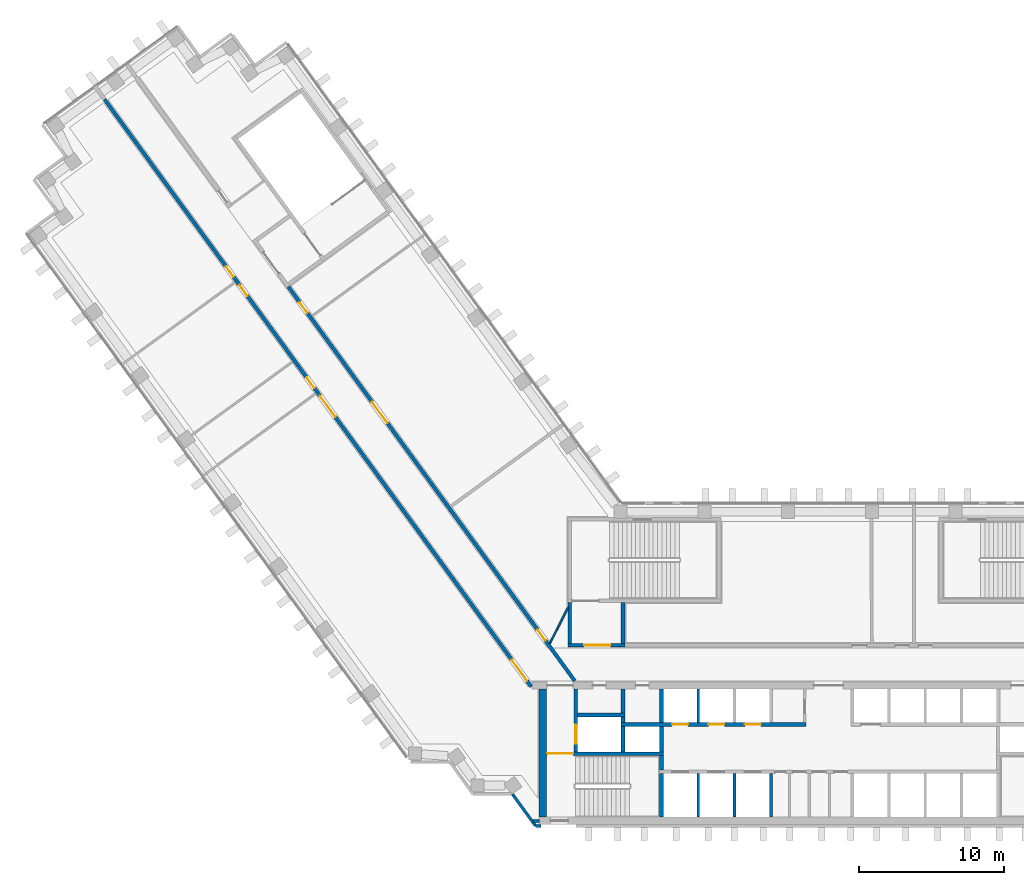
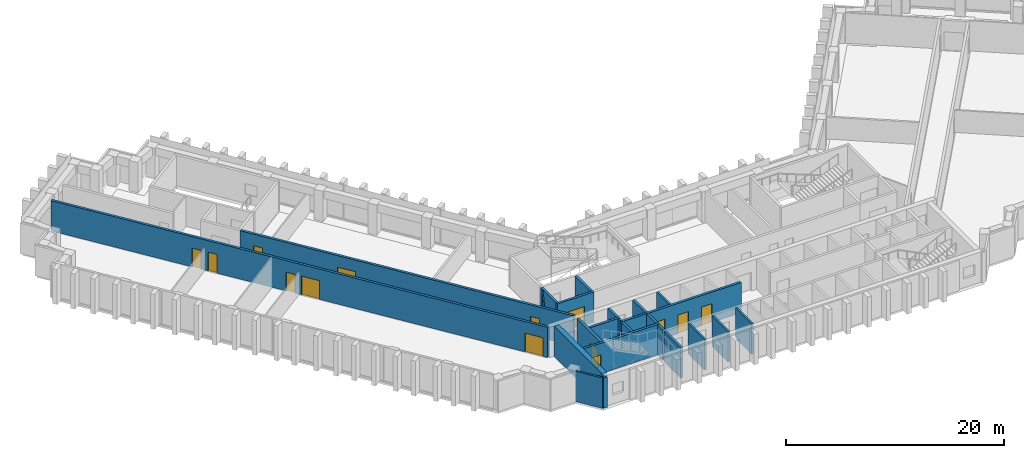
# One storey, part 4 of 11: 25 walls, 14 doors, 14 openings.
"""IFC4 building model written with IfcOpenShell, lengths in metres."""

from ifc_helpers import new_model, si_unit, direction, frame, frame_2d, origin, place, context, subcontext, project, spatial, rectangle, extrude, material, layer, layer_set, type_object, element, fill, save


model = new_model("IFC4")

# Units and contexts
model_context = context("Model", 3, precision=1e-05, world=origin(), true_north=direction((0.0, 1.0)))
body_context = subcontext(model_context, "Body", "Model", "MODEL_VIEW")
ifc_project = project(units=[si_unit("LENGTHUNIT", "METRE"), si_unit("AREAUNIT", "SQUARE_METRE"), si_unit("VOLUMEUNIT", "CUBIC_METRE"), si_unit("PLANEANGLEUNIT", "RADIAN"), si_unit("MASSUNIT", "GRAM", prefix="KILO")], contexts=[model_context])

# Site, building, storey
site_placement = place(None, origin())
site = spatial("IfcSite", under=ifc_project, at=site_placement, CompositionType="ELEMENT")
building_placement = place(site_placement, origin())
building = spatial("IfcBuilding", under=site, at=building_placement, Name="Quipu Civic Tower", CompositionType="ELEMENT")
storey_placement = place(building_placement, frame((0.0, 0.0, 129.0)))
storey = spatial("IfcBuildingStorey", under=building, at=storey_placement, Name="L30", CompositionType="ELEMENT", Elevation=129.0)

# Walls
ifc_material_1 = material(Name="Concrete C70/85", Category="concrete")
ifc_layer_1 = layer(ifc_material_1, 0.25)
ifc_layer_set_1 = layer_set([ifc_layer_1], Name="Concrete C70/85")
wall_type_1 = type_object("IfcWallType", Name="Core wall 250", PredefinedType="SHEAR", material=ifc_layer_set_1)
wall_1_placement = place(storey_placement, frame((-11.574951171875, -10.5, 0.0), z_axis=(0.0, 0.0, 1.0), x_axis=(0.0, 1.0, 0.0)))
element("IfcWall", 1, at=wall_1_placement, inside=storey, type_object=wall_type_1, Name="Core wall", PredefinedType="SHEAR", context=body_context, shape_type="SweptSolid", body=[
    extrude(rectangle(XDim=3.0, YDim=0.25, at=frame_2d((1.5, 0.0))), origin(), (0.0, 0.0, 1.0), 3.39990234375),
])
wall_2_placement = place(storey_placement, frame((-11.574951171875, -7.25, 0.0), z_axis=(0.0, 0.0, 1.0), x_axis=(0.0, 1.0, 0.0)))
element("IfcWall", 2, at=wall_2_placement, inside=storey, type_object=wall_type_1, Name="Core wall", PredefinedType="SHEAR", context=body_context, shape_type="SweptSolid", body=[
    extrude(rectangle(XDim=1.0, YDim=0.25, at=frame_2d((0.5, 0.0))), origin(), (0.0, 0.0, 1.0), 3.39990234375),
])

# Wall, opening, door
wall_3_placement = place(storey_placement, frame((-11.449951171875, -6.125, 0.0), z_axis=(0.0, 0.0, 1.0), x_axis=(-1.0, 0.0, 0.0)))
wall_3 = element("IfcWall", 3, at=wall_3_placement, inside=storey, type_object=wall_type_1, Name="Core wall", PredefinedType="SHEAR", context=body_context, shape_type="SweptSolid", body=[
    extrude(rectangle(XDim=8.050048828125, YDim=0.25, at=frame_2d((4.02490234375, 0.0))), origin(), (0.0, 0.0, 1.0), 3.39990234375),
])
opening_1_placement = place(wall_3_placement, frame((6.199951171875, 0.0, 0.0)))
opening_1 = element("IfcOpeningElement", 4, at=opening_1_placement, cuts=wall_3, Name="Opening CD-05", PredefinedType="OPENING", context=body_context, shape_type="SweptSolid", body=[
    extrude(rectangle(XDim=1.800048828125, YDim=2.10009765625, at=frame_2d((0.89990234375, 1.050048828125))), frame((0.0, 0.135009765625, 0.0), z_axis=(0.0, -1.0, 0.0), x_axis=(1.0, 0.0, 0.0)), (0.0, 0.0, 1.0), 0.27001953125),
])
ifc_material_2 = material(Name="Fire rated steel door", Category="steel")
door_type_1 = type_object("IfcDoorType", Name="Fire door FD90 double 1800 x 2100", OperationType="NOTDEFINED", PredefinedType="DOOR", material=ifc_material_2)
door_1_placement = place(opening_1_placement, origin())
door_1 = element("IfcDoor", 5, at=door_1_placement, inside=storey, type_object=door_type_1, Name="Door", OperationType="DOUBLE_DOOR_SINGLE_SWING", OverallHeight=2.10009765625, OverallWidth=1.800048828125, PredefinedType="DOOR", context=body_context, shape_type="SweptSolid", body=[
    extrude(rectangle(XDim=1.800048828125, YDim=2.10009765625, at=frame_2d((0.89990234375, 1.050048828125))), frame((0.0, 0.02490234375, 0.0), z_axis=(0.0, -1.0, 0.0), x_axis=(1.0, 0.0, 0.0)), (0.0, 0.0, 1.0), 0.050048828125),
])
fill(opening_1, door_1)

wall_4_placement = place(storey_placement, frame((-17.47509765625, -6.0, 0.0), z_axis=(0.0, 0.0, 1.0), x_axis=(0.0, 1.0, 0.0)))
wall_4 = element("IfcWall", 6, at=wall_4_placement, inside=storey, type_object=wall_type_1, Name="Core wall", PredefinedType="SHEAR", context=body_context, shape_type="SweptSolid", body=[
    extrude(rectangle(XDim=4.300048828125, YDim=0.25, at=frame_2d((2.14990234375, 0.0))), origin(), (0.0, 0.0, 1.0), 3.39990234375),
])
opening_2_placement = place(wall_4_placement, frame((0.550048828125, 0.0, 0.0)))
opening_2 = element("IfcOpeningElement", 7, at=opening_2_placement, cuts=wall_4, Name="Opening LD-FF1", PredefinedType="OPENING", context=body_context, shape_type="SweptSolid", body=[
    extrude(rectangle(XDim=1.300048828125, YDim=2.10009765625, at=frame_2d((0.64990234375, 1.050048828125))), frame((0.0, 0.135009765625, 0.0), z_axis=(0.0, -1.0, 0.0), x_axis=(1.0, 0.0, 0.0)), (0.0, 0.0, 1.0), 0.27001953125),
])
ifc_material_3 = material(Name="Stainless steel", Category="steel")
door_type_2 = type_object("IfcDoorType", Name="Lift landing door 1300 x 2100", OperationType="DOUBLE_DOOR_SLIDING", PredefinedType="DOOR", material=ifc_material_3)
door_2_placement = place(opening_2_placement, origin())
door_2 = element("IfcDoor", 8, at=door_2_placement, inside=storey, type_object=door_type_2, Name="Landing door FF1", OperationType="DOUBLE_DOOR_SLIDING", OverallHeight=2.10009765625, OverallWidth=1.300048828125, PredefinedType="DOOR", context=body_context, shape_type="SweptSolid", body=[
    extrude(rectangle(XDim=1.300048828125, YDim=2.10009765625, at=frame_2d((0.64990234375, 1.050048828125))), frame((0.0, 0.02490234375, 0.0), z_axis=(0.0, -1.0, 0.0), x_axis=(1.0, 0.0, 0.0)), (0.0, 0.0, 1.0), 0.050048828125),
])
fill(opening_2, door_2)

# Walls
for number, where, z_axis, x_axis, name in (
    (9, (-14.22509765625, -6.0, 0.0), (0.0, 0.0, 1.0), (0.0, 1.0, 0.0), "Core wall"),
    (10, (-11.574951171875, -6.0, 0.0), (0.0, 0.0, 1.0), (0.0, 1.0, 0.0), "Core wall"),
):
    element("IfcWall", number, at=place(storey_placement, frame(where, z_axis=z_axis, x_axis=x_axis)), inside=storey, type_object=wall_type_1, Name=name, PredefinedType="SHEAR", context=body_context, shape_type="SweptSolid", body=[
        extrude(rectangle(XDim=1.75, YDim=0.25, at=frame_2d((0.875, 0.0))), origin(), (0.0, 0.0, 1.0), 3.39990234375),
    ])

# Wall, openings, doors
wall_5_placement = place(storey_placement, frame((-14.35009765625, -4.125, 0.0), z_axis=(0.0, 0.0, 1.0), x_axis=(1.0, 0.0, 0.0)))
wall_5 = element("IfcWall", 11, at=wall_5_placement, inside=storey, type_object=wall_type_1, Name="Core wall", PredefinedType="SHEAR", context=body_context, shape_type="SweptSolid", body=[
    extrude(rectangle(XDim=12.7001953125, YDim=0.25, at=frame_2d((6.35009765625, 0.0))), origin(), (0.0, 0.0, 1.0), 3.39990234375),
])
opening_3_placement = place(wall_5_placement, frame((3.5, 0.0, 0.0)))
opening_3 = element("IfcOpeningElement", 12, at=opening_3_placement, cuts=wall_5, Name="Opening LD-LL4", PredefinedType="OPENING", context=body_context, shape_type="SweptSolid", body=[
    extrude(rectangle(XDim=1.10009765625, YDim=2.10009765625, at=frame_2d((0.550048828125, 1.050048828125))), frame((0.0, 0.135009765625, 0.0), z_axis=(0.0, -1.0, 0.0), x_axis=(1.0, 0.0, 0.0)), (0.0, 0.0, 1.0), 0.27001953125),
])
opening_4_placement = place(wall_5_placement, frame((6.0, 0.0, 0.0)))
opening_4 = element("IfcOpeningElement", 13, at=opening_4_placement, cuts=wall_5, Name="Opening LD-LL5", PredefinedType="OPENING", context=body_context, shape_type="SweptSolid", body=[
    extrude(rectangle(XDim=1.10009765625, YDim=2.10009765625, at=frame_2d((0.550048828125, 1.050048828125))), frame((0.0, 0.135009765625, 0.0), z_axis=(0.0, -1.0, 0.0), x_axis=(1.0, 0.0, 0.0)), (0.0, 0.0, 1.0), 0.27001953125),
])
opening_5_placement = place(wall_5_placement, frame((8.5, 0.0, 0.0)))
opening_5 = element("IfcOpeningElement", 14, at=opening_5_placement, cuts=wall_5, Name="Opening LD-LL6", PredefinedType="OPENING", context=body_context, shape_type="SweptSolid", body=[
    extrude(rectangle(XDim=1.10009765625, YDim=2.10009765625, at=frame_2d((0.550048828125, 1.050048828125))), frame((0.0, 0.135009765625, 0.0), z_axis=(0.0, -1.0, 0.0), x_axis=(1.0, 0.0, 0.0)), (0.0, 0.0, 1.0), 0.27001953125),
])
ifc_material_4 = material(Name="Stainless steel", Category="steel")
door_type_3 = type_object("IfcDoorType", Name="Lift landing door 1100 x 2100", OperationType="DOUBLE_DOOR_SLIDING", PredefinedType="DOOR", material=ifc_material_4)
door_3_placement = place(opening_3_placement, origin())
door_3 = element("IfcDoor", 15, at=door_3_placement, inside=storey, type_object=door_type_3, Name="Landing door LL4", OperationType="DOUBLE_DOOR_SLIDING", OverallHeight=2.10009765625, OverallWidth=1.10009765625, PredefinedType="DOOR", context=body_context, shape_type="SweptSolid", body=[
    extrude(rectangle(XDim=1.10009765625, YDim=2.10009765625, at=frame_2d((0.550048828125, 1.050048828125))), frame((0.0, 0.02490234375, 0.0), z_axis=(0.0, -1.0, 0.0), x_axis=(1.0, 0.0, 0.0)), (0.0, 0.0, 1.0), 0.050048828125),
])
fill(opening_3, door_3)
door_4_placement = place(opening_4_placement, origin())
door_4 = element("IfcDoor", 16, at=door_4_placement, inside=storey, type_object=door_type_3, Name="Landing door LL5", OperationType="DOUBLE_DOOR_SLIDING", OverallHeight=2.10009765625, OverallWidth=1.10009765625, PredefinedType="DOOR", context=body_context, shape_type="SweptSolid", body=[
    extrude(rectangle(XDim=1.10009765625, YDim=2.10009765625, at=frame_2d((0.550048828125, 1.050048828125))), frame((0.0, 0.02490234375, 0.0), z_axis=(0.0, -1.0, 0.0), x_axis=(1.0, 0.0, 0.0)), (0.0, 0.0, 1.0), 0.050048828125),
])
fill(opening_4, door_4)
door_5_placement = place(opening_5_placement, origin())
door_5 = element("IfcDoor", 17, at=door_5_placement, inside=storey, type_object=door_type_3, Name="Landing door LL6", OperationType="DOUBLE_DOOR_SLIDING", OverallHeight=2.10009765625, OverallWidth=1.10009765625, PredefinedType="DOOR", context=body_context, shape_type="SweptSolid", body=[
    extrude(rectangle(XDim=1.10009765625, YDim=2.10009765625, at=frame_2d((0.550048828125, 1.050048828125))), frame((0.0, 0.02490234375, 0.0), z_axis=(0.0, -1.0, 0.0), x_axis=(1.0, 0.0, 0.0)), (0.0, 0.0, 1.0), 0.050048828125),
])
fill(opening_5, door_5)

# Walls
wall_6_placement = place(storey_placement, frame((-14.22509765625, -4.0, 0.0), z_axis=(0.0, 0.0, 1.0), x_axis=(0.0, 1.0, 0.0)))
element("IfcWall", 18, at=wall_6_placement, inside=storey, type_object=wall_type_1, Name="Core wall", PredefinedType="SHEAR", context=body_context, shape_type="SweptSolid", body=[
    extrude(rectangle(XDim=0.39990234375, YDim=0.25, at=frame_2d((0.199951171875, 0.0))), origin(), (0.0, 0.0, 1.0), 3.39990234375),
])
wall_7_placement = place(storey_placement, frame((-11.574951171875, -4.0, 0.0), z_axis=(0.0, 0.0, 1.0), x_axis=(0.0, 1.0, 0.0)))
element("IfcWall", 19, at=wall_7_placement, inside=storey, type_object=wall_type_1, Name="Core wall", PredefinedType="SHEAR", context=body_context, shape_type="SweptSolid", body=[
    extrude(rectangle(XDim=2.300048828125, YDim=0.25, at=frame_2d((1.14990234375, 0.0))), origin(), (0.0, 0.0, 1.0), 3.39990234375),
])
wall_8_placement = place(storey_placement, frame((-17.35009765625, -3.47509765625, 0.0), z_axis=(0.0, 0.0, 1.0), x_axis=(1.0, 0.0, 0.0)))
element("IfcWall", 20, at=wall_8_placement, inside=storey, type_object=wall_type_1, Name="Core wall", PredefinedType="SHEAR", context=body_context, shape_type="SweptSolid", body=[
    extrude(rectangle(XDim=3.25, YDim=0.25, at=frame_2d((1.625, 0.0))), origin(), (0.0, 0.0, 1.0), 3.39990234375),
])
wall_9_placement = place(storey_placement, frame((-14.22509765625, -3.35009765625, 0.0), z_axis=(0.0, 0.0, 1.0), x_axis=(0.0, 1.0, 0.0)))
element("IfcWall", 21, at=wall_9_placement, inside=storey, type_object=wall_type_1, Name="Core wall", PredefinedType="SHEAR", context=body_context, shape_type="SweptSolid", body=[
    extrude(rectangle(XDim=1.650146484375, YDim=0.25, at=frame_2d((0.8251953125, 0.0))), origin(), (0.0, 0.0, 1.0), 3.39990234375),
])

# Wall, opening, door
wall_10_placement = place(storey_placement, frame((-18.0, 1.324951171875, 0.0), z_axis=(0.0, 0.0, 1.0), x_axis=(1.0, 0.0, 0.0)))
wall_10 = element("IfcWall", 22, at=wall_10_placement, inside=storey, type_object=wall_type_1, Name="Core wall", PredefinedType="SHEAR", context=body_context, shape_type="SweptSolid", body=[
    extrude(rectangle(XDim=3.89990234375, YDim=0.25, at=frame_2d((1.949951171875, 0.0))), origin(), (0.0, 0.0, 1.0), 3.39990234375),
])
opening_6_placement = place(wall_10_placement, frame((1.10009765625, 0.0, 0.0)))
opening_6 = element("IfcOpeningElement", 23, at=opening_6_placement, cuts=wall_10, Name="Opening CD-16", PredefinedType="OPENING", context=body_context, shape_type="SweptSolid", body=[
    extrude(rectangle(XDim=1.800048828125, YDim=2.10009765625, at=frame_2d((0.89990234375, 1.050048828125))), frame((0.0, 0.135009765625, 0.0), z_axis=(0.0, -1.0, 0.0), x_axis=(1.0, 0.0, 0.0)), (0.0, 0.0, 1.0), 0.27001953125),
])
door_6_placement = place(opening_6_placement, origin())
door_6 = element("IfcDoor", 24, at=door_6_placement, inside=storey, type_object=door_type_1, Name="Lobby door", OperationType="DOUBLE_DOOR_SINGLE_SWING", OverallHeight=2.10009765625, OverallWidth=1.800048828125, PredefinedType="DOOR", context=body_context, shape_type="SweptSolid", body=[
    extrude(rectangle(XDim=1.800048828125, YDim=2.10009765625, at=frame_2d((0.89990234375, 1.050048828125))), frame((0.0, 0.02490234375, 0.0), z_axis=(0.0, -1.0, 0.0), x_axis=(1.0, 0.0, 0.0)), (0.0, 0.0, 1.0), 0.050048828125),
])
fill(opening_6, door_6)

# Walls
for number, where, z_axis, x_axis, name in (
    (25, (-17.875, 1.449951171875, 0.0), (0.0, 0.0, 1.0), (0.0, 1.0, 0.0), "Core wall"),
    (26, (-14.22509765625, 1.449951171875, 0.0), (0.0, 0.0, 1.0), (0.0, 1.0, 0.0), "Core wall"),
):
    element("IfcWall", number, at=place(storey_placement, frame(where, z_axis=z_axis, x_axis=x_axis)), inside=storey, type_object=wall_type_1, Name=name, PredefinedType="SHEAR", context=body_context, shape_type="SweptSolid", body=[
        extrude(rectangle(XDim=2.800048828125, YDim=0.25, at=frame_2d((1.39990234375, 0.0))), origin(), (0.0, 0.0, 1.0), 3.39990234375),
    ])
ifc_material_5 = material(Name="Concrete C70/85", Category="concrete")
ifc_layer_2 = layer(ifc_material_5, 0.5)
ifc_layer_set_2 = layer_set([ifc_layer_2], Name="Concrete C70/85")
wall_type_2 = type_object("IfcWallType", Name="Core wall 500", PredefinedType="SHEAR", material=ifc_layer_set_2)
wall_11_placement = place(storey_placement, frame((-19.75, -10.5, 0.0), z_axis=(0.0, 0.0, 1.0), x_axis=(0.0, 1.0, 0.0)))
element("IfcWall", 27, at=wall_11_placement, inside=storey, type_object=wall_type_2, Name="Core wall", PredefinedType="SHEAR", context=body_context, shape_type="SweptSolid", body=[
    extrude(rectangle(XDim=8.800048828125, YDim=0.5, at=frame_2d((4.39990234375, 0.0))), origin(), (0.0, 0.0, 1.0), 3.39990234375),
])

# Wall, openings, doors
ifc_material_6 = material(Name="Concrete C50/60", Category="concrete")
ifc_layer_3 = layer(ifc_material_6, 0.25)
ifc_layer_set_3 = layer_set([ifc_layer_3], Name="Concrete C50/60")
wall_type_3 = type_object("IfcWallType", Name="Corridor wall 250 concrete", PredefinedType="SOLIDWALL", material=ifc_layer_set_3)
wall_12_placement = place(storey_placement, frame((-20.531005859375, -1.5234375, 0.0), z_axis=(0.0, 0.0, 1.0), x_axis=(-0.587784522481, 0.809017524614, 0.0)))
wall_12 = element("IfcWall", 28, at=wall_12_placement, inside=storey, type_object=wall_type_3, Name="Corridor wall C01", PredefinedType="SOLIDWALL", context=body_context, shape_type="SweptSolid", body=[
    extrude(rectangle(XDim=49.912353515625, YDim=0.25, at=frame_2d((24.9560546875, 0.0))), origin(), (0.0, 0.0, 1.0), 3.39990234375),
])
opening_7_placement = place(wall_12_placement, frame((34.816162109375, 0.0, 0.0)))
opening_7 = element("IfcOpeningElement", 29, at=opening_7_placement, cuts=wall_12, Name="Opening D013", PredefinedType="OPENING", context=body_context, shape_type="SweptSolid", body=[
    extrude(rectangle(XDim=0.89990234375, YDim=2.10009765625, at=frame_2d((0.449951171875, 1.050048828125))), frame((0.0, 0.135009765625, 0.0), z_axis=(0.0, -1.0, 0.0), x_axis=(1.0, 0.0, 0.0)), (0.0, 0.0, 1.0), 0.27001953125),
])
opening_8_placement = place(wall_12_placement, frame((33.21533203125, 0.0, 0.0)))
opening_8 = element("IfcOpeningElement", 30, at=opening_8_placement, cuts=wall_12, Name="Opening D014", PredefinedType="OPENING", context=body_context, shape_type="SweptSolid", body=[
    extrude(rectangle(XDim=0.89990234375, YDim=2.10009765625, at=frame_2d((0.449951171875, 1.050048828125))), frame((0.0, 0.135009765625, 0.0), z_axis=(0.0, -1.0, 0.0), x_axis=(1.0, 0.0, 0.0)), (0.0, 0.0, 1.0), 0.27001953125),
])
opening_9_placement = place(wall_12_placement, frame((22.915771484375, 0.0, 0.0)))
opening_9 = element("IfcOpeningElement", 31, at=opening_9_placement, cuts=wall_12, Name="Opening D016", PredefinedType="OPENING", context=body_context, shape_type="SweptSolid", body=[
    extrude(rectangle(XDim=1.800048828125, YDim=2.10009765625, at=frame_2d((0.89990234375, 1.050048828125))), frame((0.0, 0.135009765625, 0.0), z_axis=(0.0, -1.0, 0.0), x_axis=(1.0, 0.0, 0.0)), (0.0, 0.0, 1.0), 0.27001953125),
])
opening_10_placement = place(wall_12_placement, frame((0.483154296875, 0.0, 0.0)))
opening_10 = element("IfcOpeningElement", 32, at=opening_10_placement, cuts=wall_12, Name="Opening D017", PredefinedType="OPENING", context=body_context, shape_type="SweptSolid", body=[
    extrude(rectangle(XDim=1.800048828125, YDim=2.10009765625, at=frame_2d((0.89990234375, 1.050048828125))), frame((0.0, 0.135009765625, 0.0), z_axis=(0.0, -1.0, 0.0), x_axis=(1.0, 0.0, 0.0)), (0.0, 0.0, 1.0), 0.27001953125),
])
opening_11_placement = place(wall_12_placement, frame((25.365234375, 0.0, 0.0)))
opening_11 = element("IfcOpeningElement", 33, at=opening_11_placement, cuts=wall_12, Name="Opening D015", PredefinedType="OPENING", context=body_context, shape_type="SweptSolid", body=[
    extrude(rectangle(XDim=0.89990234375, YDim=2.10009765625, at=frame_2d((0.449951171875, 1.050048828125))), frame((0.0, 0.135009765625, 0.0), z_axis=(0.0, -1.0, 0.0), x_axis=(1.0, 0.0, 0.0)), (0.0, 0.0, 1.0), 0.27001953125),
])
ifc_material_7 = material(Name="Fire rated timber door set with metal frame", Category="wood")
door_type_4 = type_object("IfcDoorType", Name="Double door 1800 x 2100 FD60", OperationType="DOUBLE_DOOR_SINGLE_SWING", PredefinedType="DOOR", material=ifc_material_7)
door_7_placement = place(opening_9_placement, origin())
door_7 = element("IfcDoor", 34, at=door_7_placement, inside=storey, type_object=door_type_4, Name="Door D016", OperationType="DOUBLE_DOOR_SINGLE_SWING", OverallHeight=2.10009765625, OverallWidth=1.800048828125, PredefinedType="DOOR", context=body_context, shape_type="SweptSolid", body=[
    extrude(rectangle(XDim=1.800048828125, YDim=2.10009765625, at=frame_2d((0.89990234375, 1.050048828125))), frame((0.0, 0.02490234375, 0.0), z_axis=(0.0, -1.0, 0.0), x_axis=(1.0, 0.0, 0.0)), (0.0, 0.0, 1.0), 0.050048828125),
])
fill(opening_9, door_7)
door_8_placement = place(opening_10_placement, origin())
door_8 = element("IfcDoor", 35, at=door_8_placement, inside=storey, type_object=door_type_4, Name="Door D017", OperationType="DOUBLE_DOOR_SINGLE_SWING", OverallHeight=2.10009765625, OverallWidth=1.800048828125, PredefinedType="DOOR", context=body_context, shape_type="SweptSolid", body=[
    extrude(rectangle(XDim=1.800048828125, YDim=2.10009765625, at=frame_2d((0.89990234375, 1.050048828125))), frame((0.0, 0.02490234375, 0.0), z_axis=(0.0, -1.0, 0.0), x_axis=(1.0, 0.0, 0.0)), (0.0, 0.0, 1.0), 0.050048828125),
])
fill(opening_10, door_8)
ifc_material_8 = material(Name="Fire rated timber door set with metal frame", Category="wood")
door_type_5 = type_object("IfcDoorType", Name="Single door 900 x 2100 FD60", OperationType="NOTDEFINED", PredefinedType="DOOR", material=ifc_material_8)
door_9_placement = place(opening_7_placement, origin())
door_9 = element("IfcDoor", 36, at=door_9_placement, inside=storey, type_object=door_type_5, Name="Door D013", OperationType="SINGLE_SWING_LEFT", OverallHeight=2.10009765625, OverallWidth=0.89990234375, PredefinedType="DOOR", context=body_context, shape_type="SweptSolid", body=[
    extrude(rectangle(XDim=0.89990234375, YDim=2.10009765625, at=frame_2d((0.449951171875, 1.050048828125))), frame((0.0, 0.02490234375, 0.0), z_axis=(0.0, -1.0, 0.0), x_axis=(1.0, 0.0, 0.0)), (0.0, 0.0, 1.0), 0.050048828125),
])
fill(opening_7, door_9)
door_10_placement = place(opening_8_placement, origin())
door_10 = element("IfcDoor", 37, at=door_10_placement, inside=storey, type_object=door_type_5, Name="Door D014", OperationType="SINGLE_SWING_RIGHT", OverallHeight=2.10009765625, OverallWidth=0.89990234375, PredefinedType="DOOR", context=body_context, shape_type="SweptSolid", body=[
    extrude(rectangle(XDim=0.89990234375, YDim=2.10009765625, at=frame_2d((0.449951171875, 1.050048828125))), frame((0.0, 0.02490234375, 0.0), z_axis=(0.0, -1.0, 0.0), x_axis=(1.0, 0.0, 0.0)), (0.0, 0.0, 1.0), 0.050048828125),
])
fill(opening_8, door_10)
door_11_placement = place(opening_11_placement, origin())
door_11 = element("IfcDoor", 38, at=door_11_placement, inside=storey, type_object=door_type_5, Name="Door D015", OperationType="SINGLE_SWING_LEFT", OverallHeight=2.10009765625, OverallWidth=0.89990234375, PredefinedType="DOOR", context=body_context, shape_type="SweptSolid", body=[
    extrude(rectangle(XDim=0.89990234375, YDim=2.10009765625, at=frame_2d((0.449951171875, 1.050048828125))), frame((0.0, 0.02490234375, 0.0), z_axis=(0.0, -1.0, 0.0), x_axis=(1.0, 0.0, 0.0)), (0.0, 0.0, 1.0), 0.050048828125),
])
fill(opening_11, door_11)

wall_13_placement = place(storey_placement, frame((-37.231689453125, 25.9716796875, 0.0), z_axis=(0.0, 0.0, 1.0), x_axis=(0.587786323093, -0.809016216391, 0.0)))
wall_13 = element("IfcWall", 39, at=wall_13_placement, inside=storey, type_object=wall_type_3, Name="Corridor wall C03", PredefinedType="SOLIDWALL", context=body_context, shape_type="SweptSolid", body=[
    extrude(rectangle(XDim=33.4931640625, YDim=0.25, at=frame_2d((16.74658203125, 0.0))), origin(), (0.0, 0.0, 1.0), 3.39990234375),
])
opening_12_placement = place(wall_13_placement, frame((9.784912109375, 0.0, 0.0)))
opening_12 = element("IfcOpeningElement", 40, at=opening_12_placement, cuts=wall_13, Name="Opening D011", PredefinedType="OPENING", context=body_context, shape_type="SweptSolid", body=[
    extrude(rectangle(XDim=1.800048828125, YDim=2.10009765625, at=frame_2d((0.89990234375, 1.050048828125))), frame((0.0, 0.135009765625, 0.0), z_axis=(0.0, -1.0, 0.0), x_axis=(1.0, 0.0, 0.0)), (0.0, 0.0, 1.0), 0.27001953125),
])
opening_13_placement = place(wall_13_placement, frame((29.151611328125, 0.0, 0.0)))
opening_13 = element("IfcOpeningElement", 41, at=opening_13_placement, cuts=wall_13, Name="Opening D012", PredefinedType="OPENING", context=body_context, shape_type="SweptSolid", body=[
    extrude(rectangle(XDim=0.89990234375, YDim=2.10009765625, at=frame_2d((0.449951171875, 1.050048828125))), frame((0.0, 0.135009765625, 0.0), z_axis=(0.0, -1.0, 0.0), x_axis=(1.0, 0.0, 0.0)), (0.0, 0.0, 1.0), 0.27001953125),
])
opening_14_placement = place(wall_13_placement, frame((1.335205078125, 0.0, 0.0)))
opening_14 = element("IfcOpeningElement", 42, at=opening_14_placement, cuts=wall_13, Name="Opening D010", PredefinedType="OPENING", context=body_context, shape_type="SweptSolid", body=[
    extrude(rectangle(XDim=0.89990234375, YDim=2.10009765625, at=frame_2d((0.449951171875, 1.050048828125))), frame((0.0, 0.135009765625, 0.0), z_axis=(0.0, -1.0, 0.0), x_axis=(1.0, 0.0, 0.0)), (0.0, 0.0, 1.0), 0.27001953125),
])
door_12_placement = place(opening_12_placement, origin())
door_12 = element("IfcDoor", 43, at=door_12_placement, inside=storey, type_object=door_type_4, Name="Door D011", OperationType="DOUBLE_DOOR_SINGLE_SWING", OverallHeight=2.10009765625, OverallWidth=1.800048828125, PredefinedType="DOOR", context=body_context, shape_type="SweptSolid", body=[
    extrude(rectangle(XDim=1.800048828125, YDim=2.10009765625, at=frame_2d((0.89990234375, 1.050048828125))), frame((0.0, 0.02490234375, 0.0), z_axis=(0.0, -1.0, 0.0), x_axis=(1.0, 0.0, 0.0)), (0.0, 0.0, 1.0), 0.050048828125),
])
fill(opening_12, door_12)
door_13_placement = place(opening_13_placement, origin())
door_13 = element("IfcDoor", 44, at=door_13_placement, inside=storey, type_object=door_type_5, Name="Door D012", OperationType="SINGLE_SWING_RIGHT", OverallHeight=2.10009765625, OverallWidth=0.89990234375, PredefinedType="DOOR", context=body_context, shape_type="SweptSolid", body=[
    extrude(rectangle(XDim=0.89990234375, YDim=2.10009765625, at=frame_2d((0.449951171875, 1.050048828125))), frame((0.0, 0.02490234375, 0.0), z_axis=(0.0, -1.0, 0.0), x_axis=(1.0, 0.0, 0.0)), (0.0, 0.0, 1.0), 0.050048828125),
])
fill(opening_13, door_13)
door_14_placement = place(opening_14_placement, origin())
door_14 = element("IfcDoor", 45, at=door_14_placement, inside=storey, type_object=door_type_5, Name="Door D010", OperationType="SINGLE_SWING_RIGHT", OverallHeight=2.10009765625, OverallWidth=0.89990234375, PredefinedType="DOOR", context=body_context, shape_type="SweptSolid", body=[
    extrude(rectangle(XDim=0.89990234375, YDim=2.10009765625, at=frame_2d((0.449951171875, 1.050048828125))), frame((0.0, 0.02490234375, 0.0), z_axis=(0.0, -1.0, 0.0), x_axis=(1.0, 0.0, 0.0)), (0.0, 0.0, 1.0), 0.050048828125),
])
fill(opening_14, door_14)

# Walls
ifc_material_9 = material(Name="Gypsum plasterboard on light gauge framing")
ifc_layer_4 = layer(ifc_material_9, 0.1201171875)
ifc_layer_set_4 = layer_set([ifc_layer_4], Name="Gypsum plasterboard on light gauge framing")
wall_type_4 = type_object("IfcWallType", Name="Partition 120 plasterboard", PredefinedType="PARTITIONING", material=ifc_layer_set_4)
wall_14_placement = place(storey_placement, frame((-19.260986328125, 1.449951171875, 0.0), z_axis=(0.0, 0.0, 1.0), x_axis=(0.453950796792, 0.891026752736, 0.0)))
element("IfcWall", 46, at=wall_14_placement, inside=storey, type_object=wall_type_4, Name="Partition P14", PredefinedType="PARTITIONING", context=body_context, shape_type="SweptSolid", body=[
    extrude(rectangle(XDim=2.77783203125, YDim=0.1201171875, at=frame_2d((1.388916015625, 0.0))), origin(), (0.0, 0.0, 1.0), 3.39990234375),
])
ifc_material_10 = material(Name="Precast concrete C40/50", Category="concrete")
wall_type_5 = type_object("IfcWallType", Name="Precast cladding wall", PredefinedType="SOLIDWALL", material=ifc_material_10)
wall_15_placement = place(storey_placement, frame((-21.8330078125, -8.90869140625, 0.0), z_axis=(0.0, 0.0, 1.0), x_axis=(0.587766567315, -0.809030569476, 0.0)))
element("IfcWall", 47, at=wall_15_placement, inside=storey, type_object=wall_type_5, Name="Precast cladding wall L30 P15", PredefinedType="SOLIDWALL", context=body_context, shape_type="SweptSolid", body=[
    extrude(rectangle(XDim=2.687744140625, YDim=0.199951171875, at=frame_2d((1.34375, 0.0))), origin(), (0.0, 0.0, 1.0), 3.39990234375),
])
wall_16_placement = place(storey_placement, frame((-20.255859375, -11.087890625, 0.0), z_axis=(0.0, 0.0, 1.0), x_axis=(1.0, 0.0, 0.0)))
element("IfcWall", 48, at=wall_16_placement, inside=storey, type_object=wall_type_5, Name="Precast cladding wall L30 P16", PredefinedType="SOLIDWALL", context=body_context, shape_type="SweptSolid", body=[
    extrude(rectangle(XDim=0.40576171875, YDim=0.199951171875, at=frame_2d((0.202880859375, 0.0))), origin(), (0.0, 0.0, 1.0), 3.39990234375),
])
wall_17_placement = place(storey_placement, frame((-19.97998046875, -10.75, 0.0), z_axis=(0.0, 0.0, 1.0), x_axis=(-1.0, 0.0, 0.0)))
element("IfcWall", 49, at=wall_17_placement, inside=storey, type_object=wall_type_5, Name="Precast cladding return L30 W", PredefinedType="SOLIDWALL", context=body_context, shape_type="SweptSolid", body=[
    extrude(rectangle(XDim=0.41650390625, YDim=0.199951171875, at=frame_2d((0.208251953125, 0.0))), origin(), (0.0, 0.0, 1.0), 3.39990234375),
])
ifc_material_11 = material(Name="Concrete C40/50", Category="concrete")
ifc_layer_5 = layer(ifc_material_11, 0.199951171875)
ifc_layer_set_5 = layer_set([ifc_layer_5], Name="Concrete C40/50")
wall_type_6 = type_object("IfcWallType", Name="Shaft wall 200", PredefinedType="SOLIDWALL", material=ifc_layer_set_5)
for number, where, z_axis, x_axis, name in (
    (50, (-9.050048828125, -10.5, 0.0), (0.0, 0.0, 1.0), (0.0, 1.0, 0.0), "Shaft wall"),
    (51, (-6.550048828125, -10.5, 0.0), (0.0, 0.0, 1.0), (0.0, 1.0, 0.0), "Shaft wall"),
    (52, (-4.050048828125, -10.5, 0.0), (0.0, 0.0, 1.0), (0.0, 1.0, 0.0), "Shaft wall"),
):
    element("IfcWall", number, at=place(storey_placement, frame(where, z_axis=z_axis, x_axis=x_axis)), inside=storey, type_object=wall_type_6, Name=name, PredefinedType="SOLIDWALL", context=body_context, shape_type="SweptSolid", body=[
        extrude(rectangle(XDim=3.0, YDim=0.199951171875, at=frame_2d((1.5, 0.0))), origin(), (0.0, 0.0, 1.0), 3.39990234375),
    ])
wall_18_placement = place(storey_placement, frame((-9.050048828125, -4.0, 0.0), z_axis=(0.0, 0.0, 1.0), x_axis=(0.0, 1.0, 0.0)))
element("IfcWall", 53, at=wall_18_placement, inside=storey, type_object=wall_type_6, Name="Shaft wall", PredefinedType="SOLIDWALL", context=body_context, shape_type="SweptSolid", body=[
    extrude(rectangle(XDim=2.300048828125, YDim=0.199951171875, at=frame_2d((1.14990234375, 0.0))), origin(), (0.0, 0.0, 1.0), 3.39990234375),
])

save(model, "model.ifc")
